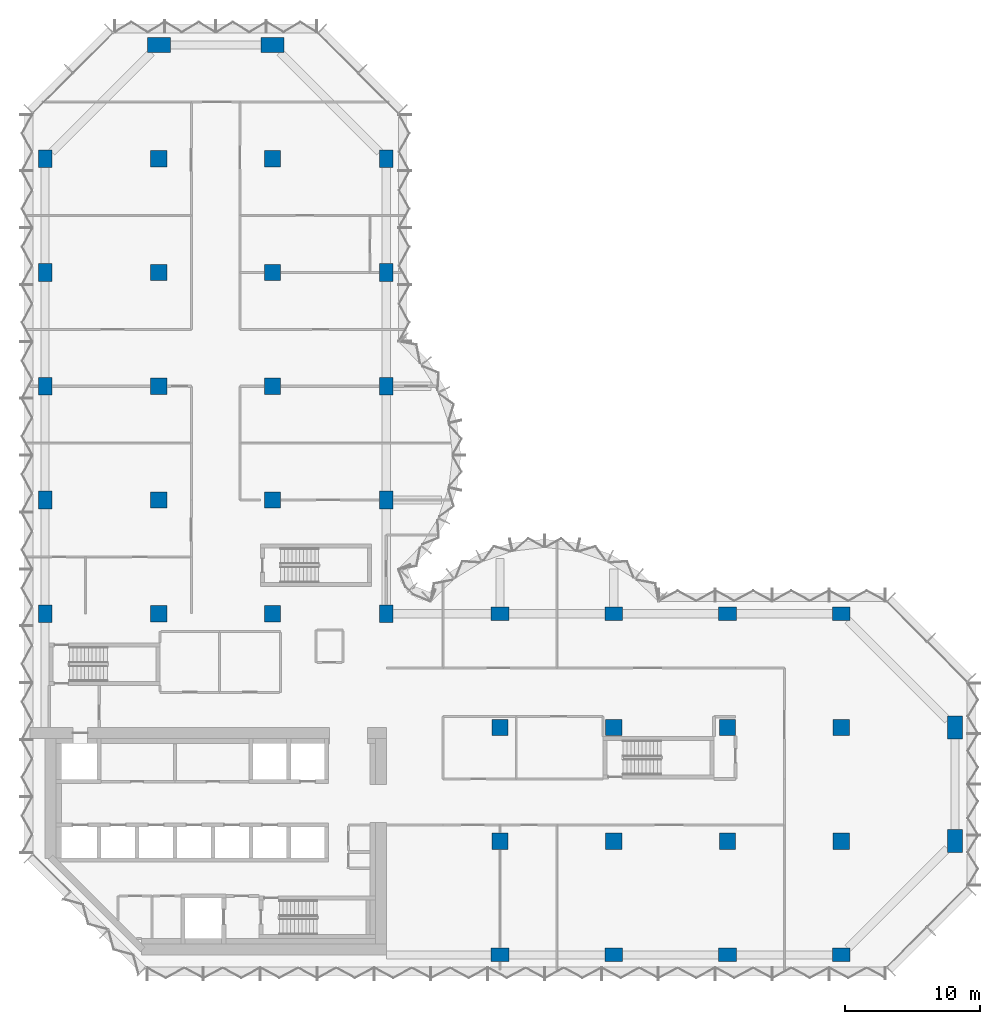
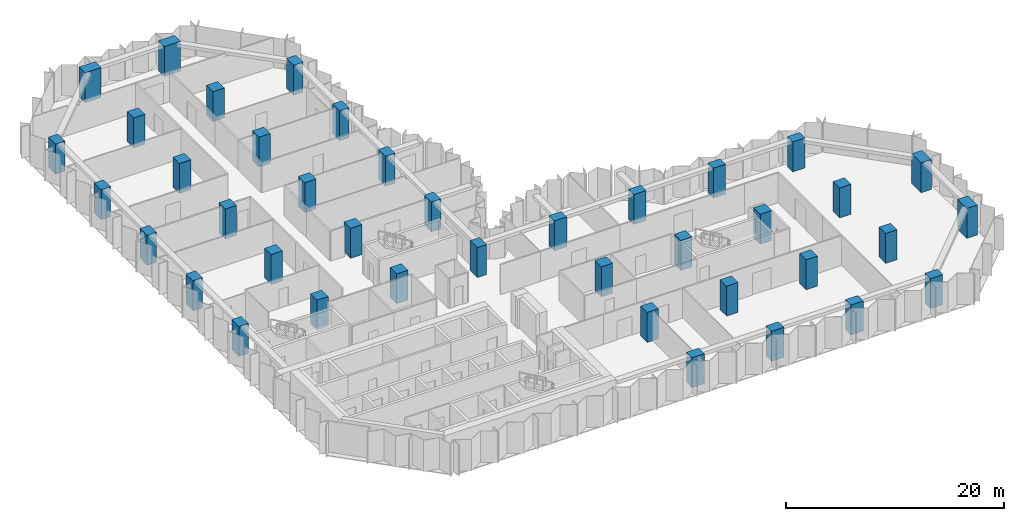
# One storey, part 1 of 13: 40 columns.
"""IFC4 building model written with IfcOpenShell, lengths in metres."""

from ifc_helpers import new_model, si_unit, direction, frame, origin, origin_2d, place, context, subcontext, project, spatial, rectangle, extrude, material, material_profile, profile_set, type_object, element, save


model = new_model("IFC4")

# Units and contexts
model_context = context("Model", 3, precision=1e-05, world=origin(), true_north=direction((0.0, 1.0)))
body_context = subcontext(model_context, "Body", "Model", "MODEL_VIEW")
ifc_project = project(units=[si_unit("LENGTHUNIT", "METRE"), si_unit("AREAUNIT", "SQUARE_METRE"), si_unit("VOLUMEUNIT", "CUBIC_METRE"), si_unit("PLANEANGLEUNIT", "RADIAN"), si_unit("MASSUNIT", "GRAM", prefix="KILO")], contexts=[model_context])

# Site, building, storey
site_placement = place(None, origin())
site = spatial("IfcSite", under=ifc_project, at=site_placement, CompositionType="ELEMENT")
building_placement = place(site_placement, origin())
building = spatial("IfcBuilding", under=site, at=building_placement, Name="Brevane Broadcast Tower", CompositionType="ELEMENT")
storey_placement = place(building_placement, frame((0.0, 0.0, 91.699951171875)))
storey = spatial("IfcBuildingStorey", under=building, at=storey_placement, Name="L21", CompositionType="ELEMENT", Elevation=91.699951171875)

# Columns
ifc_material = material(Name="Concrete C60/75", Category="concrete")
ifc_material_profile_1 = material_profile(ifc_material, rectangle(XDim=1.0, YDim=1.300048828125, at=origin_2d()), Name="RC 1000x1300")
ifc_profile_set_1 = profile_set([ifc_material_profile_1], Name="Concrete C60/75")
column_type_1 = type_object("IfcColumnType", Name="RC COLUMN EDGE 1000x1300 C60/75", PredefinedType="COLUMN", material=ifc_profile_set_1)
for number, where, z_axis, x_axis, name in (
    (1, (0.0, 25.199951171875, 0.0), (0.0, 0.0, 1.0), (1.0, 0.0, 0.0), "CE8 1/D"),
    (2, (0.0, 33.60009765625, 0.0), (0.0, 0.0, 1.0), (1.0, 0.0, 0.0), "CE8 1/E"),
    (3, (0.0, 42.0, 0.0), (0.0, 0.0, 1.0), (1.0, 0.0, 0.0), "CE8 1/F"),
    (4, (0.0, 50.39990234375, 0.0), (0.0, 0.0, 1.0), (1.0, 0.0, 0.0), "CE8 1/G"),
    (5, (0.0, 58.800048828125, 0.0), (0.0, 0.0, 1.0), (1.0, 0.0, 0.0), "CE8 1/H"),
    (6, (25.199951171875, 25.199951171875, 0.0), (0.0, 0.0, 1.0), (1.0, 0.0, 0.0), "CE8 4/D"),
    (7, (25.199951171875, 33.60009765625, 0.0), (0.0, 0.0, 1.0), (1.0, 0.0, 0.0), "CE8 4/E"),
    (8, (25.199951171875, 42.0, 0.0), (0.0, 0.0, 1.0), (1.0, 0.0, 0.0), "CE8 4/F"),
    (9, (25.199951171875, 50.39990234375, 0.0), (0.0, 0.0, 1.0), (1.0, 0.0, 0.0), "CE8 4/G"),
    (10, (25.199951171875, 58.800048828125, 0.0), (0.0, 0.0, 1.0), (1.0, 0.0, 0.0), "CE8 4/H"),
    (11, (33.60009765625, 0.0, 0.0), (0.0, 0.0, 1.0), (0.0, 1.0, 0.0), "CE8 5/A"),
    (12, (33.60009765625, 25.199951171875, 0.0), (0.0, 0.0, 1.0), (0.0, 1.0, 0.0), "CE8 5/D"),
    (13, (42.0, 0.0, 0.0), (0.0, 0.0, 1.0), (0.0, 1.0, 0.0), "CE8 6/A"),
    (14, (42.0, 25.199951171875, 0.0), (0.0, 0.0, 1.0), (0.0, 1.0, 0.0), "CE8 6/D"),
    (15, (50.39990234375, 0.0, 0.0), (0.0, 0.0, 1.0), (0.0, 1.0, 0.0), "CE8 7/A"),
    (16, (50.39990234375, 25.199951171875, 0.0), (0.0, 0.0, 1.0), (0.0, 1.0, 0.0), "CE8 7/D"),
    (17, (58.800048828125, 0.0, 0.0), (0.0, 0.0, 1.0), (0.0, 1.0, 0.0), "CE8 8/A"),
    (18, (58.800048828125, 25.199951171875, 0.0), (0.0, 0.0, 1.0), (0.0, 1.0, 0.0), "CE8 8/D"),
):
    element("IfcColumn", number, at=place(storey_placement, frame(where, z_axis=z_axis, x_axis=x_axis)), inside=storey, type_object=column_type_1, Name=name, PredefinedType="COLUMN", context=body_context, shape_type="SweptSolid", body=[
        extrude(rectangle(XDim=1.0, YDim=1.300048828125, at=origin_2d()), origin(), (0.0, 0.0, 1.0), 3.35009765625),
    ])
ifc_material_profile_2 = material_profile(ifc_material, rectangle(XDim=1.199951171875, YDim=1.199951171875, at=origin_2d()), Name="RC 1200x1200")
ifc_profile_set_2 = profile_set([ifc_material_profile_2], Name="Concrete C60/75")
column_type_2 = type_object("IfcColumnType", Name="RC COLUMN INTERIOR 1200x1200 C60/75", PredefinedType="COLUMN", material=ifc_profile_set_2)
for number, where, z_axis, x_axis, name in (
    (19, (8.39990234375, 25.199951171875, 0.0), (0.0, 0.0, 1.0), (1.0, 0.0, 0.0), "CI9 2/D"),
    (20, (8.39990234375, 33.60009765625, 0.0), (0.0, 0.0, 1.0), (1.0, 0.0, 0.0), "CI9 2/E"),
    (21, (8.39990234375, 42.0, 0.0), (0.0, 0.0, 1.0), (1.0, 0.0, 0.0), "CI9 2/F"),
    (22, (8.39990234375, 50.39990234375, 0.0), (0.0, 0.0, 1.0), (1.0, 0.0, 0.0), "CI9 2/G"),
    (23, (8.39990234375, 58.800048828125, 0.0), (0.0, 0.0, 1.0), (1.0, 0.0, 0.0), "CI9 2/H"),
    (24, (16.800048828125, 25.199951171875, 0.0), (0.0, 0.0, 1.0), (1.0, 0.0, 0.0), "CI9 3/D"),
    (25, (16.800048828125, 33.60009765625, 0.0), (0.0, 0.0, 1.0), (1.0, 0.0, 0.0), "CI9 3/E"),
    (26, (16.800048828125, 42.0, 0.0), (0.0, 0.0, 1.0), (1.0, 0.0, 0.0), "CI9 3/F"),
    (27, (16.800048828125, 50.39990234375, 0.0), (0.0, 0.0, 1.0), (1.0, 0.0, 0.0), "CI9 3/G"),
    (28, (16.800048828125, 58.800048828125, 0.0), (0.0, 0.0, 1.0), (1.0, 0.0, 0.0), "CI9 3/H"),
    (29, (33.60009765625, 8.39990234375, 0.0), (0.0, 0.0, 1.0), (1.0, 0.0, 0.0), "CI9 5/B"),
    (30, (33.60009765625, 16.800048828125, 0.0), (0.0, 0.0, 1.0), (1.0, 0.0, 0.0), "CI9 5/C"),
    (31, (42.0, 8.39990234375, 0.0), (0.0, 0.0, 1.0), (1.0, 0.0, 0.0), "CI9 6/B"),
    (32, (42.0, 16.800048828125, 0.0), (0.0, 0.0, 1.0), (1.0, 0.0, 0.0), "CI9 6/C"),
    (33, (50.39990234375, 8.39990234375, 0.0), (0.0, 0.0, 1.0), (1.0, 0.0, 0.0), "CI9 7/B"),
    (34, (50.39990234375, 16.800048828125, 0.0), (0.0, 0.0, 1.0), (1.0, 0.0, 0.0), "CI9 7/C"),
    (35, (58.800048828125, 8.39990234375, 0.0), (0.0, 0.0, 1.0), (1.0, 0.0, 0.0), "CI9 8/B"),
    (36, (58.800048828125, 16.800048828125, 0.0), (0.0, 0.0, 1.0), (1.0, 0.0, 0.0), "CI9 8/C"),
):
    element("IfcColumn", number, at=place(storey_placement, frame(where, z_axis=z_axis, x_axis=x_axis)), inside=storey, type_object=column_type_2, Name=name, PredefinedType="COLUMN", context=body_context, shape_type="SweptSolid", body=[
        extrude(rectangle(XDim=1.199951171875, YDim=1.199951171875, at=origin_2d()), origin(), (0.0, 0.0, 1.0), 3.35009765625),
    ])
ifc_material_profile_3 = material_profile(ifc_material, rectangle(XDim=1.10009765625, YDim=1.699951171875, at=origin_2d()), Name="RC 1100x1700")
ifc_profile_set_3 = profile_set([ifc_material_profile_3], Name="Concrete C60/75")
column_type_3 = type_object("IfcColumnType", Name="RC COLUMN WING-END 1100x1700 C60/75", PredefinedType="COLUMN", material=ifc_profile_set_3)
for number, where, z_axis, x_axis, name in (
    (37, (8.39990234375, 67.199951171875, 0.0), (0.0, 0.0, 1.0), (0.0, 1.0, 0.0), "CW10 2/I"),
    (38, (16.800048828125, 67.199951171875, 0.0), (0.0, 0.0, 1.0), (0.0, 1.0, 0.0), "CW10 3/I"),
    (39, (67.199951171875, 8.39990234375, 0.0), (0.0, 0.0, 1.0), (1.0, 0.0, 0.0), "CW10 9/B"),
    (40, (67.199951171875, 16.800048828125, 0.0), (0.0, 0.0, 1.0), (1.0, 0.0, 0.0), "CW10 9/C"),
):
    element("IfcColumn", number, at=place(storey_placement, frame(where, z_axis=z_axis, x_axis=x_axis)), inside=storey, type_object=column_type_3, Name=name, PredefinedType="COLUMN", context=body_context, shape_type="SweptSolid", body=[
        extrude(rectangle(XDim=1.10009765625, YDim=1.699951171875, at=origin_2d()), origin(), (0.0, 0.0, 1.0), 3.35009765625),
    ])

save(model, "model.ifc")
